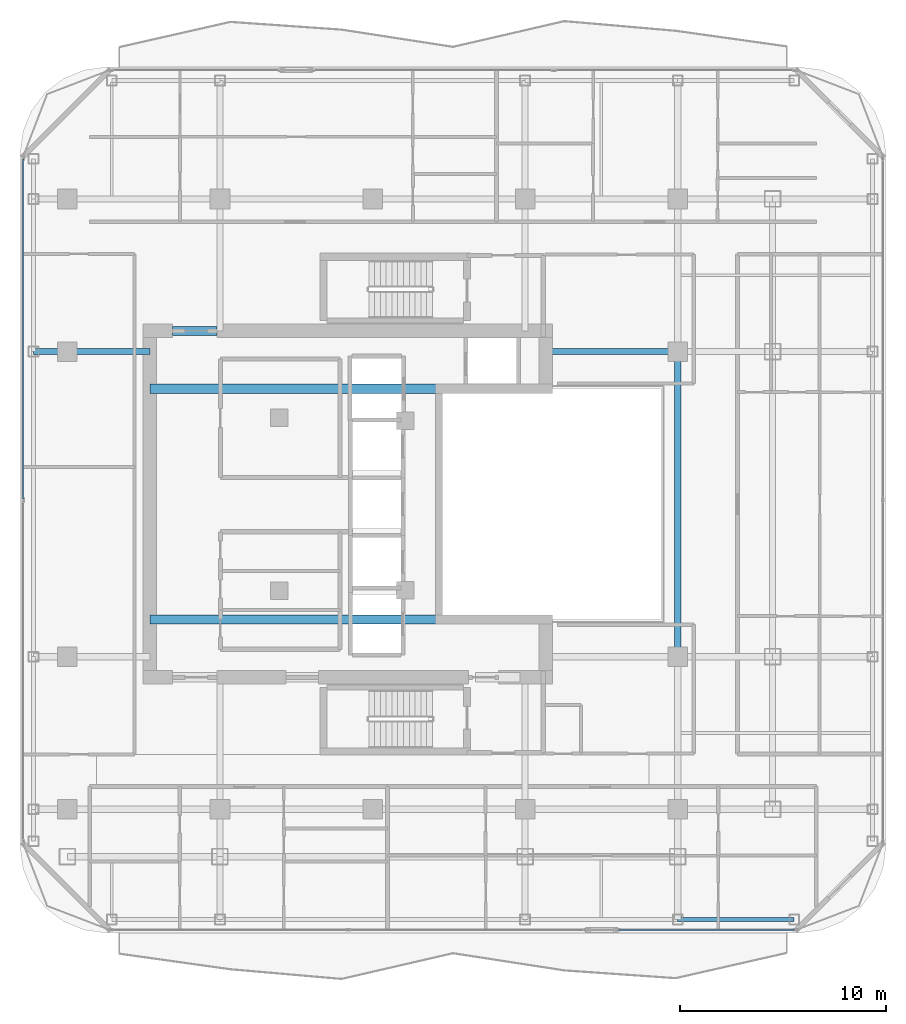
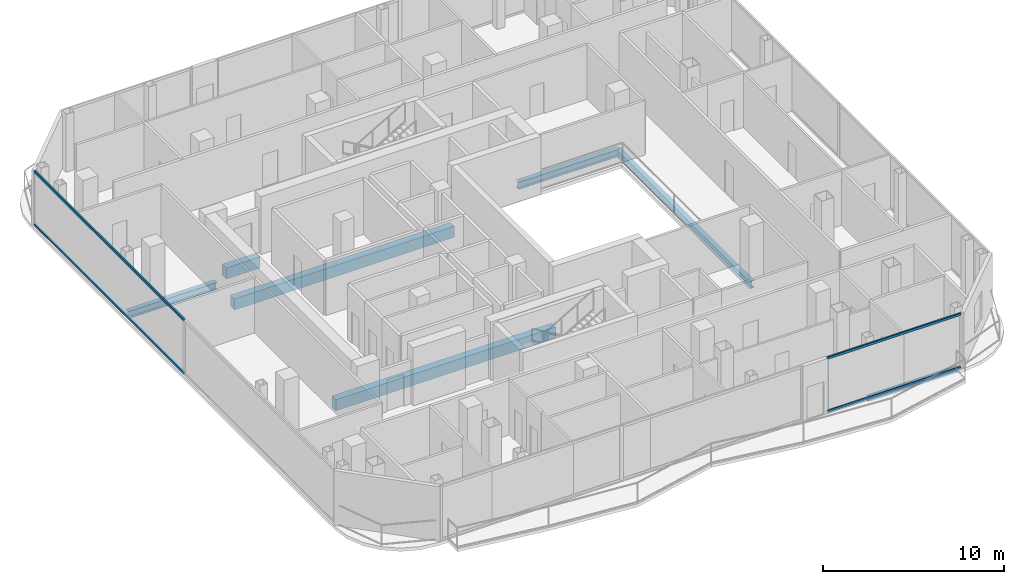
# One storey, part 6 of 22: 7 beams, 4 members, 2 elements without a shape of their own.
"""IFC4 building model written with IfcOpenShell, lengths in metres."""

from ifc_helpers import new_model, si_unit, direction, frame, origin, origin_2d, place, context, subcontext, project, spatial, rectangle, hollow_rectangle, i_section, extrude, material, layer, layer_set, material_profile, profile_set, type_object, element, aggregate, save


model = new_model("IFC4")

# Units and contexts
model_context = context("Model", 3, precision=1e-05, world=origin(), true_north=direction((0.0, 1.0)))
body_context = subcontext(model_context, "Body", "Model", "MODEL_VIEW")
ifc_project = project(units=[si_unit("LENGTHUNIT", "METRE"), si_unit("AREAUNIT", "SQUARE_METRE"), si_unit("VOLUMEUNIT", "CUBIC_METRE"), si_unit("PLANEANGLEUNIT", "RADIAN"), si_unit("MASSUNIT", "GRAM", prefix="KILO")], contexts=[model_context])

# Site, building, storey
site_placement = place(None, origin())
site = spatial("IfcSite", under=ifc_project, at=site_placement, CompositionType="ELEMENT")
building_placement = place(site_placement, origin())
building = spatial("IfcBuilding", under=site, at=building_placement, Name="Khorvyn Point Tower", CompositionType="ELEMENT")
storey_placement = place(building_placement, frame((0.0, 0.0, 278.10009765625)))
storey = spatial("IfcBuildingStorey", under=building, at=storey_placement, Name="L68", CompositionType="ELEMENT", Elevation=278.10009765625)

# Curtain wall, members
ifc_material_1 = material(Name="Anodised aluminium 6063-T6 and laminated Low-E glass", Category="aluminium")
ifc_layer = layer(ifc_material_1, 0.18994140625)
ifc_layer_set = layer_set([ifc_layer], Name="Stick-Built High-Wind Curtain Wall CW-SYS-04")
curtain_wall_type = type_object("IfcCurtainWallType", Name="Stick-Built High-Wind Curtain Wall CW-SYS-04", PredefinedType="NOTDEFINED", material=ifc_layer_set)
curtain_wall_1_placement = place(storey_placement, origin())
curtain_wall_1 = element("IfcCurtainWall", 1, at=curtain_wall_1_placement, inside=storey, type_object=curtain_wall_type, Name="Curtain Wall", PredefinedType="NOTDEFINED")
ifc_material_2 = material(Name="Anodised aluminium 6063-T6", Category="aluminium")
ifc_material_profile_1 = material_profile(ifc_material_2, hollow_rectangle(XDim=0.10009765625, YDim=0.159912109375, WallThickness=0.00439453125, at=origin_2d()))
ifc_profile_set_1 = profile_set([ifc_material_profile_1], Name="Anodised aluminium 6063-T6 ALU-TRN-100x160")
member_type = type_object("IfcMemberType", Name="Anodised Aluminium 6063-T6 Transom ALU-TRN-100x160", PredefinedType="USERDEFINED", material=ifc_profile_set_1)
member_1_placement = place(storey_placement, frame((20.449951171875, -20.64990234375, 0.0498046875), z_axis=(-1.0, 0.0, 0.0), x_axis=(0.0, -1.0, 0.0)))
member_1 = element("IfcMember", 2, at=member_1_placement, type_object=member_type, Name="Transom", ObjectType="TRANSOM", PredefinedType="USERDEFINED", context=body_context, shape_type="SweptSolid", body=[
    extrude(hollow_rectangle(XDim=0.10009765625, YDim=0.159912109375, WallThickness=0.00439453125, at=origin_2d()), origin(), (0.0, 0.0, 1.0), 8.505859375),
])
member_2_placement = place(storey_placement, frame((20.449951171875, -20.64990234375, 3.6298828125), z_axis=(-1.0, 0.0, 0.0), x_axis=(0.0, -1.0, 0.0)))
member_2 = element("IfcMember", 3, at=member_2_placement, type_object=member_type, Name="Transom", ObjectType="TRANSOM", PredefinedType="USERDEFINED", context=body_context, shape_type="SweptSolid", body=[
    extrude(hollow_rectangle(XDim=0.10009765625, YDim=0.159912109375, WallThickness=0.00439453125, at=origin_2d()), origin(), (0.0, 0.0, 1.0), 8.505859375),
])
aggregate(curtain_wall_1, [member_1, member_2])

curtain_wall_2_placement = place(storey_placement, origin())
curtain_wall_2 = element("IfcCurtainWall", 4, at=curtain_wall_2_placement, inside=storey, type_object=curtain_wall_type, Name="Curtain Wall", PredefinedType="NOTDEFINED")
member_3_placement = place(storey_placement, frame((-16.949951171875, 0.25, 0.0498046875), z_axis=(0.0, 1.0, 0.0), x_axis=(-1.0, 0.0, 0.0)))
member_3 = element("IfcMember", 5, at=member_3_placement, type_object=member_type, Name="Transom", ObjectType="TRANSOM", PredefinedType="USERDEFINED", context=body_context, shape_type="SweptSolid", body=[
    extrude(hollow_rectangle(XDim=0.10009765625, YDim=0.159912109375, WallThickness=0.00439453125, at=origin_2d()), origin(), (0.0, 0.0, 1.0), 16.5),
])
member_4_placement = place(storey_placement, frame((-16.949951171875, 0.25, 3.6298828125), z_axis=(0.0, 1.0, 0.0), x_axis=(-1.0, 0.0, 0.0)))
member_4 = element("IfcMember", 6, at=member_4_placement, type_object=member_type, Name="Transom", ObjectType="TRANSOM", PredefinedType="USERDEFINED", context=body_context, shape_type="SweptSolid", body=[
    extrude(hollow_rectangle(XDim=0.10009765625, YDim=0.159912109375, WallThickness=0.00439453125, at=origin_2d()), origin(), (0.0, 0.0, 1.0), 16.5),
])
aggregate(curtain_wall_2, [member_3, member_4])

# Beams
ifc_material_3 = material(Name="Concrete C40/50", Category="concrete")
ifc_material_profile_2 = material_profile(ifc_material_3, rectangle(XDim=0.449951171875, YDim=0.75, at=origin_2d()))
ifc_profile_set_2 = profile_set([ifc_material_profile_2], Name="Concrete C40/50 RC450x750")
beam_type_1 = type_object("IfcBeamType", Name="Concrete C40/50 Beam RC450x750", PredefinedType="BEAM", material=ifc_profile_set_2)
for number, where, z_axis, x_axis, name in (
    (7, (-10.800048828125, -5.60009765625, -0.59521484375), (1.0, 0.0, 0.0), (0.0, 1.0, 0.0), "L68 Core Internal Tie Girder S"),
    (8, (-10.800048828125, 5.60009765625, -0.59521484375), (1.0, 0.0, 0.0), (0.0, 1.0, 0.0), "L68 Core Internal Tie Girder N"),
):
    element("IfcBeam", number, at=place(storey_placement, frame(where, z_axis=z_axis, x_axis=x_axis)), inside=storey, type_object=beam_type_1, Name=name, PredefinedType="BEAM", context=body_context, shape_type="SweptSolid", body=[
        extrude(rectangle(XDim=0.449951171875, YDim=0.75, at=origin_2d()), origin(), (0.0, 0.0, 1.0), 14.02001953125),
    ])
beam_1_placement = place(storey_placement, frame((-9.699951171875, 8.39990234375, -0.59521484375), z_axis=(1.0, 0.0, 0.0), x_axis=(0.0, 1.0, 0.0)))
element("IfcBeam", 9, at=beam_1_placement, inside=storey, type_object=beam_type_1, Name="L68 Core Northwest Portal Coupling Beam", PredefinedType="BEAM", context=body_context, shape_type="SweptSolid", body=[
    extrude(rectangle(XDim=0.449951171875, YDim=0.75, at=origin_2d()), origin(), (0.0, 0.0, 1.0), 2.14990234375),
])
ifc_material_4 = material(Name="Steel S355", Category="steel")
ifc_material_profile_3 = material_profile(ifc_material_4, i_section(OverallWidth=0.300048828125, OverallDepth=0.488037109375, WebThickness=0.010986328125, FlangeThickness=0.01806640625, at=origin_2d()))
ifc_profile_set_3 = profile_set([ifc_material_profile_3], Name="Steel S355 H488x300x11x18")
beam_type_2 = type_object("IfcBeamType", Name="Steel S355 Spandrel H488x300x11x18", PredefinedType="SPANDREL", material=ifc_profile_set_3)
beam_2_placement = place(storey_placement, frame((-16.449951171875, 7.39990234375, -0.464111328125), z_axis=(1.0, 0.0, 0.0), x_axis=(0.0, 1.0, 0.0)))
element("IfcBeam", 10, at=beam_2_placement, inside=storey, type_object=beam_type_2, Name="Beam", PredefinedType="SPANDREL", context=body_context, shape_type="SweptSolid", body=[
    extrude(i_section(OverallWidth=0.300048828125, OverallDepth=0.488037109375, WebThickness=0.010986328125, FlangeThickness=0.01806640625, at=origin_2d()), origin(), (0.0, 0.0, 1.0), 5.64990234375),
])
beam_3_placement = place(storey_placement, frame((8.39990234375, 7.39990234375, -0.464111328125), z_axis=(1.0, 0.0, 0.0), x_axis=(0.0, 1.0, 0.0)))
element("IfcBeam", 11, at=beam_3_placement, inside=storey, type_object=beam_type_2, Name="Beam", PredefinedType="SPANDREL", context=body_context, shape_type="SweptSolid", body=[
    extrude(i_section(OverallWidth=0.300048828125, OverallDepth=0.488037109375, WebThickness=0.010986328125, FlangeThickness=0.01806640625, at=origin_2d()), origin(), (0.0, 0.0, 1.0), 6.400146484375),
])
beam_4_placement = place(storey_placement, frame((14.800048828125, -7.39990234375, -0.464111328125), z_axis=(0.0, 1.0, 0.0), x_axis=(-1.0, 0.0, 0.0)))
element("IfcBeam", 12, at=beam_4_placement, inside=storey, type_object=beam_type_2, Name="Beam", PredefinedType="SPANDREL", context=body_context, shape_type="SweptSolid", body=[
    extrude(i_section(OverallWidth=0.300048828125, OverallDepth=0.488037109375, WebThickness=0.010986328125, FlangeThickness=0.01806640625, at=origin_2d()), origin(), (0.0, 0.0, 1.0), 14.7998046875),
])
ifc_material_profile_4 = material_profile(ifc_material_4, hollow_rectangle(XDim=0.199951171875, YDim=0.35009765625, WallThickness=0.013916015625, at=origin_2d()))
ifc_profile_set_4 = profile_set([ifc_material_profile_4], Name="Steel S355 RHS350x200x14")
beam_type_3 = type_object("IfcBeamType", Name="Steel S355 Spandrel RHS350x200x14", PredefinedType="SPANDREL", material=ifc_profile_set_4)
beam_5_placement = place(storey_placement, frame((14.800048828125, -20.14990234375, -0.39501953125), z_axis=(1.0, 0.0, 0.0), x_axis=(0.0, 1.0, 0.0)))
element("IfcBeam", 13, at=beam_5_placement, inside=storey, type_object=beam_type_3, Name="Beam", PredefinedType="SPANDREL", context=body_context, shape_type="SweptSolid", body=[
    extrude(hollow_rectangle(XDim=0.199951171875, YDim=0.35009765625, WallThickness=0.013916015625, at=origin_2d()), origin(), (0.0, 0.0, 1.0), 5.64990234375),
])

save(model, "model.ifc")
